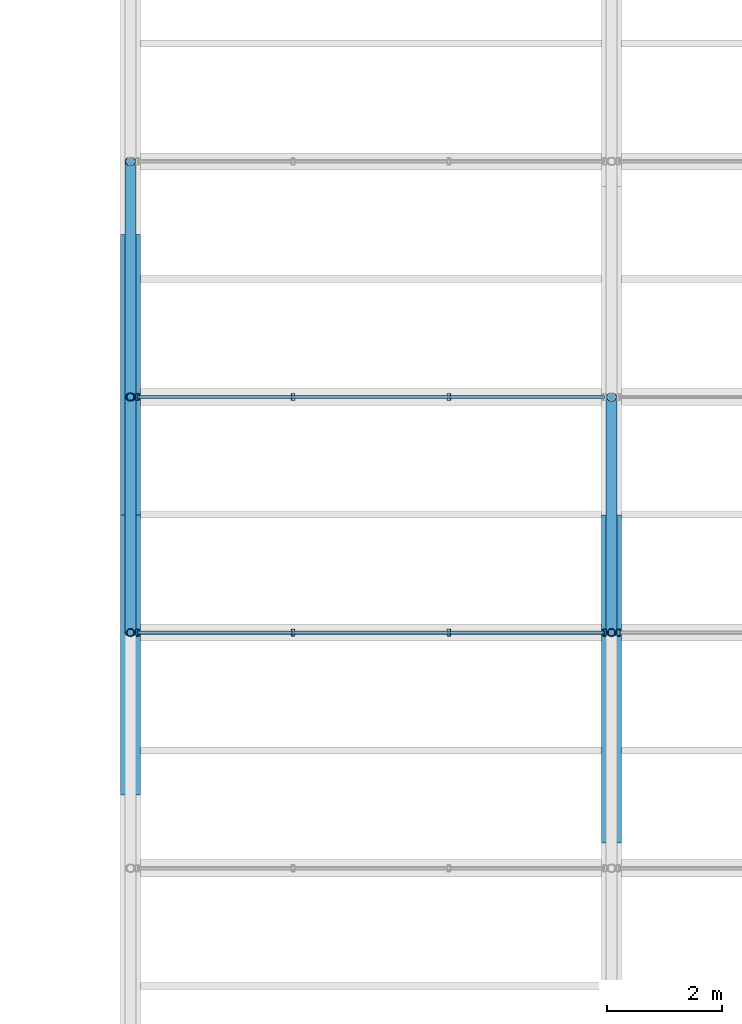
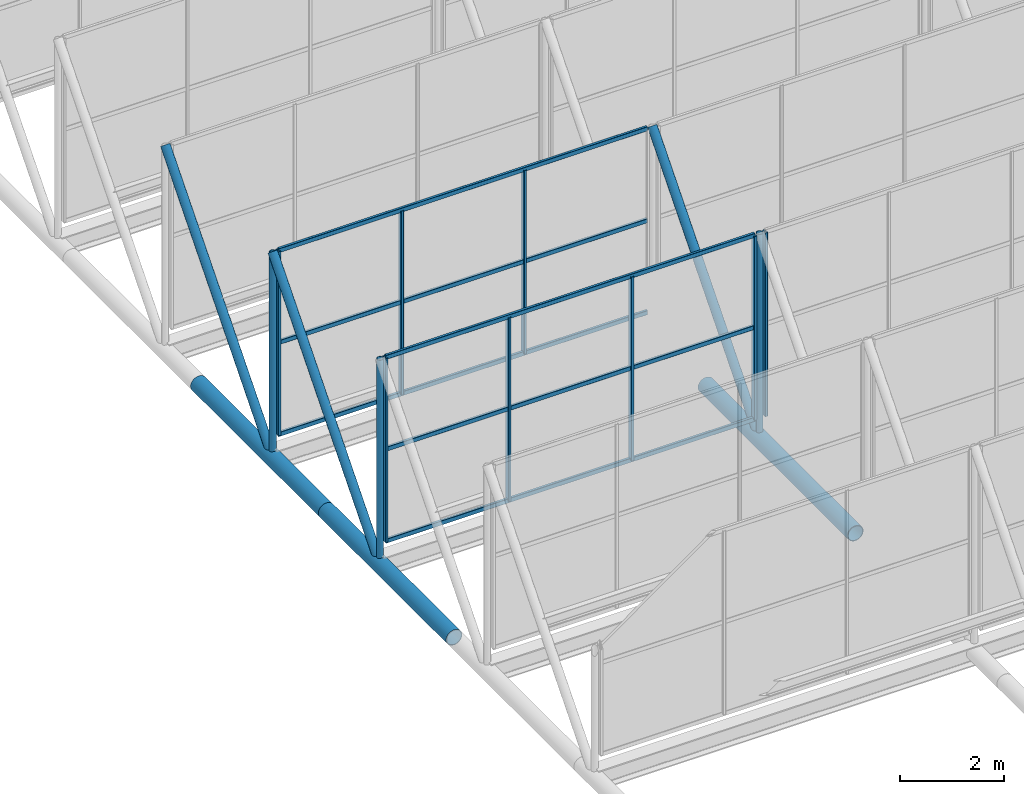
# One storey, part 16 of 77: 23 members, 3 elements without a shape of their own.
"""IFC4 building model written with IfcOpenShell, lengths in metres."""

import ifcopenshell
import ifcopenshell.guid

model = None  # the IFC model being written
_history = None  # IfcOwnerHistory: only IFC2X3 demands one
_inside = {}  # id of a spatial element -> (the spatial element, [elements in it])
_under = {}  # id of a project, library or spatial element -> (it, [spatial elements below it])
_declared = {}  # id of a project -> (the project, [libraries it declares])
_typed = {}  # id of a type object -> (the type object, [elements of that type])
_made_of = {}  # id of a material, layer set ... -> (it, [elements and type objects made of it])


def new_model(schema):
    """Start an empty IFC model of exactly this schema.

    Asked for "IFC4X3", IfcOpenShell would pick the latest addendum, in which some entities
    have other attributes; the version numbers below select the first issue.
    IFC2X3 requires an IfcOwnerHistory on every rooted entity: one is made here for all.
    """
    global model, _history
    if schema == "IFC4X3":
        model = ifcopenshell.file(schema_version=(4, 3, 0, 0))
    else:
        model = ifcopenshell.file(schema=schema)
    _inside.clear()
    _under.clear()
    _declared.clear()
    _typed.clear()
    _made_of.clear()
    _history = None
    if model.schema == "IFC2X3":
        org = make("IfcOrganization", Name="unknown")
        user = make(
            "IfcPersonAndOrganization",
            ThePerson=make("IfcPerson", FamilyName="unknown"),
            TheOrganization=org,
        )
        app = make(
            "IfcApplication",
            ApplicationDeveloper=org,
            Version="unknown",
            ApplicationFullName="unknown",
            ApplicationIdentifier="unknown",
        )
        _history = make(
            "IfcOwnerHistory",
            OwningUser=user,
            OwningApplication=app,
            ChangeAction="ADDED",
            CreationDate=0,
        )
    return model


def make(cls, **values):
    """One entity of the class cls with the attributes given. An attribute that is None is left unset."""
    return model.create_entity(
        cls, **{name: value for name, value in values.items() if value is not None}
    )


def rooted(cls, **values):
    """An entity with a GlobalId (a new one), such as an element, a storey or a relation."""
    return make(cls, GlobalId=ifcopenshell.guid.new(), OwnerHistory=_history, **values)


def si_unit(unit_type, name, prefix=None):
    """IfcSIUnit, for example si_unit("LENGTHUNIT", "METRE", prefix="MILLI")."""
    return make("IfcSIUnit", UnitType=unit_type, Prefix=prefix, Name=name)


def derived_unit(unit_type, elements):
    """IfcDerivedUnit: a product of units, each with its exponent."""
    return make(
        "IfcDerivedUnit",
        Elements=[
            make("IfcDerivedUnitElement", Unit=unit, Exponent=power)
            for unit, power in elements
        ],
        UnitType=unit_type,
    )


def assignment(units):
    """IfcUnitAssignment: the units of a project."""
    return None if units is None else make("IfcUnitAssignment", Units=units)


def point(xyz):
    """IfcCartesianPoint."""
    return None if xyz is None else make("IfcCartesianPoint", Coordinates=xyz)


def direction(xyz):
    """IfcDirection."""
    return None if xyz is None else make("IfcDirection", DirectionRatios=xyz)


def frame(location, z_axis=None, x_axis=None):
    """IfcAxis2Placement3D, a coordinate frame: its origin and axes. An axis left out is left unset."""
    return make(
        "IfcAxis2Placement3D",
        Location=point(location),
        Axis=direction(z_axis),
        RefDirection=direction(x_axis),
    )


def frame_2d(location, x_axis=None):
    """IfcAxis2Placement2D, a coordinate frame in the plane: its origin and x axis."""
    return make(
        "IfcAxis2Placement2D", Location=point(location), RefDirection=direction(x_axis)
    )


def origin():
    """The frame at (0, 0, 0) with its axes left unset."""
    return frame((0.0, 0.0, 0.0))


def origin_2d():
    """The frame at (0, 0) in the plane with its x axis left unset."""
    return frame_2d((0.0, 0.0))


def place(relative_to, where):
    """IfcLocalPlacement: puts the frame where relative to a parent placement (None: the world)."""
    return make(
        "IfcLocalPlacement", PlacementRelTo=relative_to, RelativePlacement=where
    )


def context(
    kind, dimensions, precision=None, world=None, true_north=None, identifier=None
):
    """IfcGeometricRepresentationContext, for example the 3D "Model" context."""
    return make(
        "IfcGeometricRepresentationContext",
        ContextIdentifier=identifier,
        ContextType=kind,
        CoordinateSpaceDimension=dimensions,
        Precision=precision,
        WorldCoordinateSystem=world,
        TrueNorth=true_north,
    )


def subcontext(parent, identifier, kind, view, scale=None):
    """IfcGeometricRepresentationSubContext, for example "Body" below "Model"."""
    return make(
        "IfcGeometricRepresentationSubContext",
        ContextIdentifier=identifier,
        ContextType=kind,
        ParentContext=parent,
        TargetScale=scale,
        TargetView=view,
    )


def project(units=None, contexts=None):
    """IfcProject with its units and contexts."""
    return rooted(
        "IfcProject",
        Name="project",
        RepresentationContexts=contexts,
        UnitsInContext=assignment(units),
    )


def spatial(cls, under=None, at=None, **own):
    """A site, building, storey or space (cls), placed at a placement, below another one or the project."""
    s = rooted(cls, ObjectPlacement=at, **own)
    if under is not None:
        _under.setdefault(under.id(), (under, []))[1].append(s)
    return s


def profile(cls, at=None, kind="AREA", **sizes):
    """A parametric profile (cls). Its sizes go by their IFC names, for example OverallWidth=200.0."""
    return make(cls, ProfileType=kind, Position=at, **sizes)


def hollow_rectangle(**sizes):
    """IfcRectangleHollowProfileDef."""
    return profile("IfcRectangleHollowProfileDef", **sizes)


def hollow_circle(**sizes):
    """IfcCircleHollowProfileDef."""
    return profile("IfcCircleHollowProfileDef", **sizes)


def extrude(swept, where, along, depth):
    """IfcExtrudedAreaSolid: the profile swept, set in the frame where, extruded along a direction by depth."""
    return make(
        "IfcExtrudedAreaSolid",
        SweptArea=swept,
        Position=where,
        ExtrudedDirection=direction(along),
        Depth=depth,
    )


def shape(context_of_items, identifier, shape_type, items):
    """IfcShapeRepresentation: the items that make up one representation, for example the "Body"."""
    return make(
        "IfcShapeRepresentation",
        ContextOfItems=context_of_items,
        RepresentationIdentifier=identifier,
        RepresentationType=shape_type,
        Items=items,
    )


def material(Name=None, Category=None):
    """IfcMaterial."""
    return make("IfcMaterial", Name=Name, Category=Category)


def material_profile(
    of_material, cross_section, Name=None, Category=None, Priority=None
):
    """IfcMaterialProfile: a cross section and its material."""
    return make(
        "IfcMaterialProfile",
        Name=Name,
        Material=of_material,
        Profile=cross_section,
        Priority=Priority,
        Category=Category,
    )


def profile_set(profiles, Name=None, composite=None):
    """IfcMaterialProfileSet."""
    return make(
        "IfcMaterialProfileSet",
        Name=Name,
        MaterialProfiles=profiles,
        CompositeProfile=composite,
    )


def made_of(thing, what):
    """Note that an element or type object is made of a material, layer set ...; save() writes the relation."""
    if what is not None:
        _made_of.setdefault(what.id(), (what, []))[1].append(thing)
    return thing


def type_object(cls, material=None, **own):
    """A type object (cls), such as IfcWallType, which elements share."""
    return made_of(rooted(cls, **own), material)


def element(
    cls,
    number,
    at=None,
    inside=None,
    cuts=None,
    type_object=None,
    material=None,
    context=None,
    identifier="Body",
    shape_type=None,
    held_by="IfcProductDefinitionShape",
    body=None,
    shapes=None,
    **own,
):
    """One element of the class cls, such as IfcWall. Its Tag is "e" and its number.

    at: its placement. inside: the storey or other place that contains it. cuts: it is an
    opening in that element (IfcRelVoidsElement). A single representation is given by context,
    identifier, shape_type and body (its items); several are given by shapes. held_by: the class
    of the entity that holds the representations. save() writes the other relations.
    """
    e = rooted(cls, Tag="e%d" % number, ObjectPlacement=at, **own)
    if body is not None:
        shapes = [shape(context, identifier, shape_type, body)]
    if shapes is not None:
        e.Representation = make(held_by, Representations=shapes)
    if inside is not None:
        _inside.setdefault(inside.id(), (inside, []))[1].append(e)
    if cuts is not None:
        rooted(
            "IfcRelVoidsElement", RelatingBuildingElement=cuts, RelatedOpeningElement=e
        )
    if type_object is not None:
        _typed.setdefault(type_object.id(), (type_object, []))[1].append(e)
    return made_of(e, material)


def aggregate(whole, parts):
    """IfcRelAggregates: a whole, such as a stair, and the parts it consists of."""
    return rooted("IfcRelAggregates", RelatingObject=whole, RelatedObjects=parts)


def save(model, path):
    """Write the relations noted so far, then the file.

    IfcRelAggregates (storeys below a building ...), IfcRelContainedInSpatialStructure (elements
    in a storey), IfcRelDefinesByType, IfcRelAssociatesMaterial and IfcRelDeclares: one each for
    every whole, place, type object, material and project.
    """
    for whole, parts in _under.values():
        aggregate(whole, parts)
    for where, things in _inside.values():
        rooted(
            "IfcRelContainedInSpatialStructure",
            RelatedElements=things,
            RelatingStructure=where,
        )
    for kind, things in _typed.values():
        rooted("IfcRelDefinesByType", RelatedObjects=things, RelatingType=kind)
    for what, things in _made_of.values():
        rooted("IfcRelAssociatesMaterial", RelatedObjects=things, RelatingMaterial=what)
    for by, libraries in _declared.values():
        rooted("IfcRelDeclares", RelatingContext=by, RelatedDefinitions=libraries)
    model.write(path)


model = new_model("IFC4")

# Units and contexts
model_context = context("Model", 3, precision=1e-05, world=origin(), true_north=direction((0.0, 1.0)))
body_context = subcontext(model_context, "Body", "Model", "MODEL_VIEW")
ifc_project = project(units=[si_unit("LENGTHUNIT", "METRE"), si_unit("AREAUNIT", "SQUARE_METRE"), si_unit("VOLUMEUNIT", "CUBIC_METRE"), si_unit("PLANEANGLEUNIT", "RADIAN"), si_unit("MASSUNIT", "GRAM", prefix="KILO"), derived_unit("THERMALTRANSMITTANCEUNIT", [(si_unit("MASSUNIT", "GRAM", prefix="KILO"), 1), (si_unit("TIMEUNIT", "SECOND"), -3), (si_unit("THERMODYNAMICTEMPERATUREUNIT", "KELVIN"), -1)])], contexts=[model_context])

# Site, building, storey
site_placement = place(None, origin())
site = spatial("IfcSite", under=ifc_project, at=site_placement, CompositionType="ELEMENT")
building_placement = place(site_placement, origin())
building = spatial("IfcBuilding", under=site, at=building_placement, Name="Kharveza Railside Sports Centre", CompositionType="ELEMENT")
storey_placement = place(building_placement, frame((0.0, 0.0, 17.10009765625)))
storey = spatial("IfcBuildingStorey", under=building, at=storey_placement, Name="L04", CompositionType="ELEMENT", Elevation=17.10009765625)

# Curtain wall, members
ifc_material_1 = material(Name="Low-E solar-control laminated glass", Category="glass")
curtain_wall_type = type_object("IfcCurtainWallType", Name="CW-NL01", PredefinedType="NOTDEFINED", material=ifc_material_1)
curtain_wall_1_placement = place(storey_placement, origin())
curtain_wall_1 = element("IfcCurtainWall", 1, at=curtain_wall_1_placement, inside=storey, type_object=curtain_wall_type, Name="CW-V1NL-3-1", PredefinedType="NOTDEFINED")
ifc_material_2 = material(Name="Anodised aluminium 6063-T6", Category="aluminium")
ifc_material_profile_1 = material_profile(ifc_material_2, hollow_rectangle(XDim=0.06005859375, YDim=0.1201171875, WallThickness=0.0048828125, InnerFilletRadius=0.0048828125, OuterFilletRadius=0.010009765625, at=origin_2d()), Name="RHS 60x120x5.0")
ifc_profile_set_1 = profile_set([ifc_material_profile_1], Name="Anodised aluminium 6063-T6")
member_type_1 = type_object("IfcMemberType", Name="CW-ML05", PredefinedType="MULLION", material=ifc_profile_set_1)
member_1_placement = place(storey_placement, frame((33.719970703125, 48.343017578125, -0.550048828125), z_axis=(0.0, 0.0, 1.0), x_axis=(1.0, 0.0, 0.0)))
member_1 = element("IfcMember", 2, at=member_1_placement, type_object=member_type_1, Name="CW-V1NL-3-1-ML1", PredefinedType="MULLION", context=body_context, shape_type="SweptSolid", body=[
    extrude(hollow_rectangle(XDim=0.06005859375, YDim=0.1201171875, WallThickness=0.0048828125, InnerFilletRadius=0.0048828125, OuterFilletRadius=0.010009765625, at=origin_2d()), origin(), (0.0, 0.0, 1.0), 4.300048828125),
])
member_2_placement = place(storey_placement, frame((36.43994140625, 48.343017578125, -0.550048828125), z_axis=(0.0, 0.0, 1.0), x_axis=(1.0, 0.0, 0.0)))
member_2 = element("IfcMember", 3, at=member_2_placement, type_object=member_type_1, Name="CW-V1NL-3-1-ML2", PredefinedType="MULLION", context=body_context, shape_type="SweptSolid", body=[
    extrude(hollow_rectangle(XDim=0.06005859375, YDim=0.1201171875, WallThickness=0.0048828125, InnerFilletRadius=0.0048828125, OuterFilletRadius=0.010009765625, at=origin_2d()), origin(), (0.0, 0.0, 1.0), 4.300048828125),
])
member_3_placement = place(storey_placement, frame((39.159912109375, 48.343017578125, -0.550048828125), z_axis=(0.0, 0.0, 1.0), x_axis=(1.0, 0.0, 0.0)))
member_3 = element("IfcMember", 4, at=member_3_placement, type_object=member_type_1, Name="CW-V1NL-3-1-ML3", PredefinedType="MULLION", context=body_context, shape_type="SweptSolid", body=[
    extrude(hollow_rectangle(XDim=0.06005859375, YDim=0.1201171875, WallThickness=0.0048828125, InnerFilletRadius=0.0048828125, OuterFilletRadius=0.010009765625, at=origin_2d()), origin(), (0.0, 0.0, 1.0), 4.300048828125),
])
member_4_placement = place(storey_placement, frame((41.8798828125, 48.343017578125, -0.550048828125), z_axis=(0.0, 0.0, 1.0), x_axis=(1.0, 0.0, 0.0)))
member_4 = element("IfcMember", 5, at=member_4_placement, type_object=member_type_1, Name="CW-V1NL-3-1-ML4", PredefinedType="MULLION", context=body_context, shape_type="SweptSolid", body=[
    extrude(hollow_rectangle(XDim=0.06005859375, YDim=0.1201171875, WallThickness=0.0048828125, InnerFilletRadius=0.0048828125, OuterFilletRadius=0.010009765625, at=origin_2d()), origin(), (0.0, 0.0, 1.0), 4.300048828125),
])

# Curtain wall, member
curtain_wall_2_placement = place(storey_placement, origin())
curtain_wall_2 = element("IfcCurtainWall", 6, at=curtain_wall_2_placement, inside=storey, type_object=curtain_wall_type, Name="CW-V1NL-3-2", PredefinedType="NOTDEFINED")
member_5_placement = place(storey_placement, frame((42.1201171875, 48.343017578125, -0.550048828125), z_axis=(0.0, 0.0, 1.0), x_axis=(1.0, 0.0, 0.0)))
member_5 = element("IfcMember", 7, at=member_5_placement, type_object=member_type_1, Name="CW-V1NL-3-2-ML1", PredefinedType="MULLION", context=body_context, shape_type="SweptSolid", body=[
    extrude(hollow_rectangle(XDim=0.06005859375, YDim=0.1201171875, WallThickness=0.0048828125, InnerFilletRadius=0.0048828125, OuterFilletRadius=0.010009765625, at=origin_2d()), origin(), (0.0, 0.0, 1.0), 4.300048828125),
])
aggregate(curtain_wall_2, [member_5])

# Curtain wall, members
curtain_wall_3_placement = place(storey_placement, origin())
curtain_wall_3 = element("IfcCurtainWall", 8, at=curtain_wall_3_placement, inside=storey, type_object=curtain_wall_type, Name="CW-V1NL-4-1", PredefinedType="NOTDEFINED")
member_6_placement = place(storey_placement, frame((33.719970703125, 52.45703125, -0.550048828125), z_axis=(0.0, 0.0, 1.0), x_axis=(1.0, 0.0, 0.0)))
member_6 = element("IfcMember", 9, at=member_6_placement, type_object=member_type_1, Name="CW-V1NL-4-1-ML1", PredefinedType="MULLION", context=body_context, shape_type="SweptSolid", body=[
    extrude(hollow_rectangle(XDim=0.06005859375, YDim=0.1201171875, WallThickness=0.0048828125, InnerFilletRadius=0.0048828125, OuterFilletRadius=0.010009765625, at=origin_2d()), origin(), (0.0, 0.0, 1.0), 4.300048828125),
])
member_7_placement = place(storey_placement, frame((36.43994140625, 52.45703125, -0.550048828125), z_axis=(0.0, 0.0, 1.0), x_axis=(1.0, 0.0, 0.0)))
member_7 = element("IfcMember", 10, at=member_7_placement, type_object=member_type_1, Name="CW-V1NL-4-1-ML2", PredefinedType="MULLION", context=body_context, shape_type="SweptSolid", body=[
    extrude(hollow_rectangle(XDim=0.06005859375, YDim=0.1201171875, WallThickness=0.0048828125, InnerFilletRadius=0.0048828125, OuterFilletRadius=0.010009765625, at=origin_2d()), origin(), (0.0, 0.0, 1.0), 4.300048828125),
])
member_8_placement = place(storey_placement, frame((39.159912109375, 52.45703125, -0.550048828125), z_axis=(0.0, 0.0, 1.0), x_axis=(1.0, 0.0, 0.0)))
member_8 = element("IfcMember", 11, at=member_8_placement, type_object=member_type_1, Name="CW-V1NL-4-1-ML3", PredefinedType="MULLION", context=body_context, shape_type="SweptSolid", body=[
    extrude(hollow_rectangle(XDim=0.06005859375, YDim=0.1201171875, WallThickness=0.0048828125, InnerFilletRadius=0.0048828125, OuterFilletRadius=0.010009765625, at=origin_2d()), origin(), (0.0, 0.0, 1.0), 4.300048828125),
])

# Member
ifc_material_profile_2 = material_profile(ifc_material_2, hollow_rectangle(XDim=0.06005859375, YDim=0.10009765625, WallThickness=0.00390625, InnerFilletRadius=0.00390625, OuterFilletRadius=0.008056640625, at=origin_2d()), Name="RHS 60x100x4.0")
ifc_profile_set_2 = profile_set([ifc_material_profile_2], Name="Anodised aluminium 6063-T6")
member_type_2 = type_object("IfcMemberType", Name="CW-TR05", PredefinedType="USERDEFINED", material=ifc_profile_set_2)
member_9_placement = place(storey_placement, frame((33.719970703125, 48.343017578125, -0.550048828125), z_axis=(1.0, 0.0, 0.0), x_axis=(0.0, 1.0, 0.0)))
member_9 = element("IfcMember", 12, at=member_9_placement, type_object=member_type_2, Name="CW-V1NL-3-1-TR1", ObjectType="TRANSOM", PredefinedType="USERDEFINED", context=body_context, shape_type="SweptSolid", body=[
    extrude(hollow_rectangle(XDim=0.06005859375, YDim=0.10009765625, WallThickness=0.00390625, InnerFilletRadius=0.00390625, OuterFilletRadius=0.008056640625, at=origin_2d()), origin(), (0.0, 0.0, 1.0), 8.159912109375),
])

member_10_placement = place(storey_placement, frame((33.719970703125, 48.343017578125, 1.599853515625), z_axis=(1.0, 0.0, 0.0), x_axis=(0.0, 1.0, 0.0)))
member_10 = element("IfcMember", 13, at=member_10_placement, type_object=member_type_2, Name="CW-V1NL-3-1-TR2", ObjectType="TRANSOM", PredefinedType="USERDEFINED", context=body_context, shape_type="SweptSolid", body=[
    extrude(hollow_rectangle(XDim=0.06005859375, YDim=0.10009765625, WallThickness=0.00390625, InnerFilletRadius=0.00390625, OuterFilletRadius=0.008056640625, at=origin_2d()), origin(), (0.0, 0.0, 1.0), 8.159912109375),
])

member_11_placement = place(storey_placement, frame((33.719970703125, 48.343017578125, 3.75), z_axis=(1.0, 0.0, 0.0), x_axis=(0.0, 1.0, 0.0)))
member_11 = element("IfcMember", 14, at=member_11_placement, type_object=member_type_2, Name="CW-V1NL-3-1-TR3", ObjectType="TRANSOM", PredefinedType="USERDEFINED", context=body_context, shape_type="SweptSolid", body=[
    extrude(hollow_rectangle(XDim=0.06005859375, YDim=0.10009765625, WallThickness=0.00390625, InnerFilletRadius=0.00390625, OuterFilletRadius=0.008056640625, at=origin_2d()), origin(), (0.0, 0.0, 1.0), 8.159912109375),
])

aggregate(curtain_wall_1, [member_1, member_2, member_3, member_4, member_9, member_10, member_11])

member_12_placement = place(storey_placement, frame((33.719970703125, 52.45703125, -0.550048828125), z_axis=(1.0, 0.0, 0.0), x_axis=(0.0, 1.0, 0.0)))
member_12 = element("IfcMember", 15, at=member_12_placement, type_object=member_type_2, Name="CW-V1NL-4-1-TR1", ObjectType="TRANSOM", PredefinedType="USERDEFINED", context=body_context, shape_type="SweptSolid", body=[
    extrude(hollow_rectangle(XDim=0.06005859375, YDim=0.10009765625, WallThickness=0.00390625, InnerFilletRadius=0.00390625, OuterFilletRadius=0.008056640625, at=origin_2d()), origin(), (0.0, 0.0, 1.0), 8.159912109375),
])

member_13_placement = place(storey_placement, frame((33.719970703125, 52.45703125, 1.599853515625), z_axis=(1.0, 0.0, 0.0), x_axis=(0.0, 1.0, 0.0)))
member_13 = element("IfcMember", 16, at=member_13_placement, type_object=member_type_2, Name="CW-V1NL-4-1-TR2", ObjectType="TRANSOM", PredefinedType="USERDEFINED", context=body_context, shape_type="SweptSolid", body=[
    extrude(hollow_rectangle(XDim=0.06005859375, YDim=0.10009765625, WallThickness=0.00390625, InnerFilletRadius=0.00390625, OuterFilletRadius=0.008056640625, at=origin_2d()), origin(), (0.0, 0.0, 1.0), 8.159912109375),
])

member_14_placement = place(storey_placement, frame((33.719970703125, 52.45703125, 3.75), z_axis=(1.0, 0.0, 0.0), x_axis=(0.0, 1.0, 0.0)))
member_14 = element("IfcMember", 17, at=member_14_placement, type_object=member_type_2, Name="CW-V1NL-4-1-TR3", ObjectType="TRANSOM", PredefinedType="USERDEFINED", context=body_context, shape_type="SweptSolid", body=[
    extrude(hollow_rectangle(XDim=0.06005859375, YDim=0.10009765625, WallThickness=0.00390625, InnerFilletRadius=0.00390625, OuterFilletRadius=0.008056640625, at=origin_2d()), origin(), (0.0, 0.0, 1.0), 8.159912109375),
])

aggregate(curtain_wall_3, [member_6, member_7, member_8, member_12, member_13, member_14])

# Members
ifc_material_3 = material(Name="Steel S355J2", Category="steel")
ifc_material_profile_3 = material_profile(ifc_material_3, hollow_circle(Radius=0.177734375, WallThickness=0.01611328125, at=origin_2d()), Name="CHS 355.6x16.0")
ifc_profile_set_3 = profile_set([ifc_material_profile_3], Name="Steel S355J2")
member_type_3 = type_object("IfcMemberType", Name="MB-CH01", PredefinedType="CHORD", material=ifc_profile_set_3)
member_15_placement = place(storey_placement, frame((33.60009765625, 45.50341796875, -1.050048828125), z_axis=(0.0, 1.0, 0.0), x_axis=(-1.0, 0.0, 0.0)))
element("IfcMember", 18, at=member_15_placement, inside=storey, type_object=member_type_3, Name="MB-V1TR-TC-1-4", PredefinedType="CHORD", context=body_context, shape_type="SweptSolid", body=[
    extrude(hollow_circle(Radius=0.177734375, WallThickness=0.01611328125, at=origin_2d()), origin(), (0.0, 0.0, 1.0), 4.896484375),
])
member_16_placement = place(storey_placement, frame((33.60009765625, 50.39990234375, -1.050048828125), z_axis=(0.0, 1.0, 0.0), x_axis=(-1.0, 0.0, 0.0)))
element("IfcMember", 19, at=member_16_placement, inside=storey, type_object=member_type_3, Name="MB-V1TR-TC-1-5", PredefinedType="CHORD", context=body_context, shape_type="SweptSolid", body=[
    extrude(hollow_circle(Radius=0.177734375, WallThickness=0.01611328125, at=origin_2d()), origin(), (0.0, 0.0, 1.0), 4.896728515625),
])
member_17_placement = place(storey_placement, frame((42.0, 44.671142578125, -1.050048828125), z_axis=(0.0, 1.0, 0.0), x_axis=(-1.0, 0.0, 0.0)))
element("IfcMember", 20, at=member_17_placement, inside=storey, type_object=member_type_3, Name="MB-V1TR-TC-2-4", PredefinedType="CHORD", context=body_context, shape_type="SweptSolid", body=[
    extrude(hollow_circle(Radius=0.177734375, WallThickness=0.01611328125, at=origin_2d()), origin(), (0.0, 0.0, 1.0), 5.728759765625),
])
ifc_material_profile_4 = material_profile(ifc_material_3, hollow_circle(Radius=0.096923828125, WallThickness=0.010009765625, at=origin_2d()), Name="CHS 193.7x10.0")
ifc_profile_set_4 = profile_set([ifc_material_profile_4], Name="Steel S355J2")
member_type_4 = type_object("IfcMemberType", Name="MB-ST02", PredefinedType="STRUT", material=ifc_profile_set_4)
for number, where, z_axis, x_axis, name in (
    (21, (33.60009765625, 48.343017578125, -1.050048828125), (0.0, 0.649980985845, 0.759950470781), (-1.0, 0.0, 0.0), "MB-V1SAW-RFT-4-1"),
    (22, (42.0, 48.343017578125, -1.050048828125), (0.0, 0.649980985845, 0.759950470781), (-1.0, 0.0, 0.0), "MB-V1SAW-RFT-4-2"),
):
    element("IfcMember", number, at=place(storey_placement, frame(where, z_axis=z_axis, x_axis=x_axis)), inside=storey, type_object=member_type_4, Name=name, PredefinedType="STRUT", context=body_context, shape_type="SweptSolid", body=[
        extrude(hollow_circle(Radius=0.096923828125, WallThickness=0.010009765625, at=origin_2d()), origin(), (0.0, 0.0, 1.0), 6.329345703125),
    ])
member_18_placement = place(storey_placement, frame((33.60009765625, 52.45703125, -1.050048828125), z_axis=(0.0, 0.650003261435, 0.759931418039), x_axis=(-1.0, 0.0, 0.0)))
element("IfcMember", 23, at=member_18_placement, inside=storey, type_object=member_type_4, Name="MB-V1SAW-RFT-5-1", PredefinedType="STRUT", context=body_context, shape_type="SweptSolid", body=[
    extrude(hollow_circle(Radius=0.096923828125, WallThickness=0.010009765625, at=origin_2d()), origin(), (0.0, 0.0, 1.0), 6.32958984375),
])
ifc_material_profile_5 = material_profile(ifc_material_3, hollow_circle(Radius=0.06982421875, WallThickness=0.008056640625, at=origin_2d()), Name="CHS 139.7x8.0")
ifc_profile_set_5 = profile_set([ifc_material_profile_5], Name="Steel S355J2")
member_type_5 = type_object("IfcMemberType", Name="MB-ST04", PredefinedType="STRUT", material=ifc_profile_set_5)
for number, where, z_axis, x_axis, name in (
    (24, (33.60009765625, 48.343017578125, -1.050048828125), (0.0, 0.0, 1.0), (1.0, 0.0, 0.0), "MB-V1SAW-PST-3-1"),
    (25, (42.0, 48.343017578125, -1.050048828125), (0.0, 0.0, 1.0), (1.0, 0.0, 0.0), "MB-V1SAW-PST-3-2"),
    (26, (33.60009765625, 52.45703125, -1.050048828125), (0.0, 0.0, 1.0), (1.0, 0.0, 0.0), "MB-V1SAW-PST-4-1"),
):
    element("IfcMember", number, at=place(storey_placement, frame(where, z_axis=z_axis, x_axis=x_axis)), inside=storey, type_object=member_type_5, Name=name, PredefinedType="STRUT", context=body_context, shape_type="SweptSolid", body=[
        extrude(hollow_circle(Radius=0.06982421875, WallThickness=0.008056640625, at=origin_2d()), origin(), (0.0, 0.0, 1.0), 4.81005859375),
    ])

save(model, "model.ifc")
